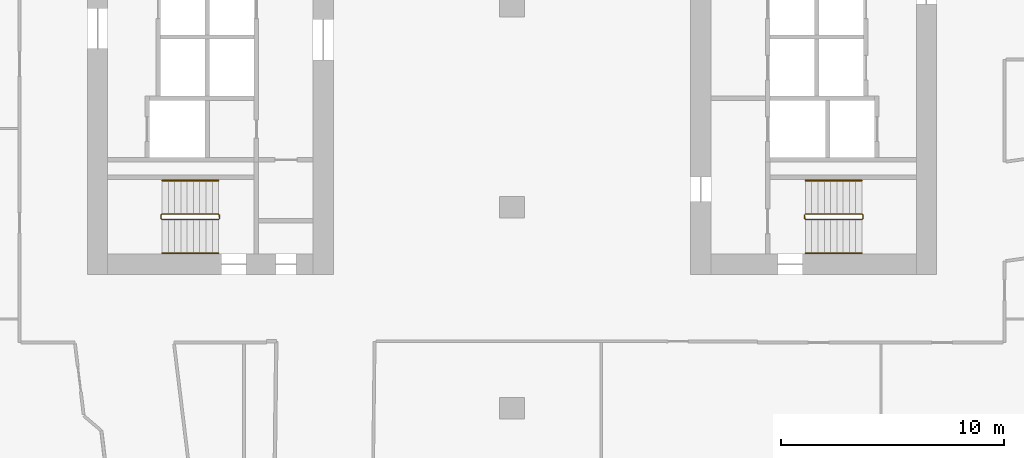
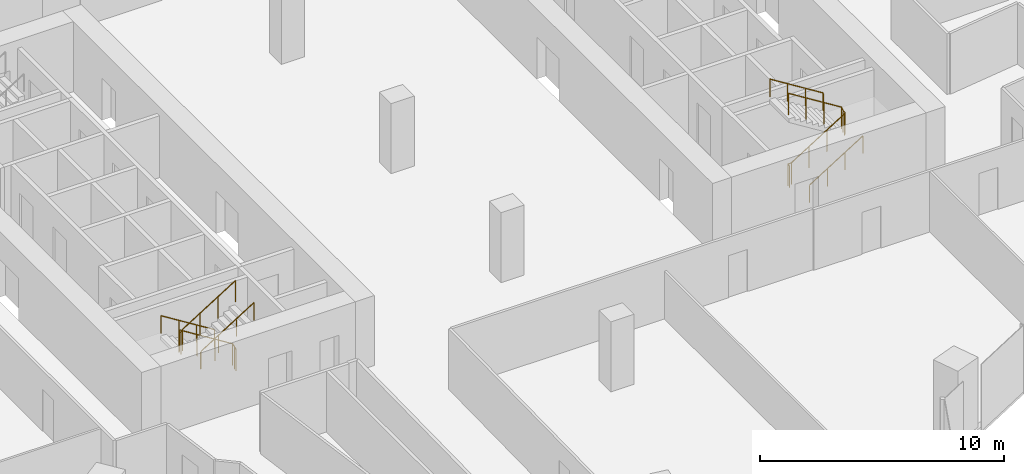
# One storey, part 32 of 34: 6 railings.
"""IFC4 building model written with IfcOpenShell, lengths in metres."""

from ifc_helpers import new_model, si_unit, direction, frame, origin, origin_2d, place, context, subcontext, project, spatial, circle, extrude, material, type_object, element, save


model = new_model("IFC4")

# Units and contexts
model_context = context("Model", 3, precision=1e-05, world=origin(), true_north=direction((0.0, 1.0)))
body_context = subcontext(model_context, "Body", "Model", "MODEL_VIEW")
ifc_project = project(units=[si_unit("LENGTHUNIT", "METRE"), si_unit("AREAUNIT", "SQUARE_METRE"), si_unit("VOLUMEUNIT", "CUBIC_METRE"), si_unit("PLANEANGLEUNIT", "RADIAN"), si_unit("MASSUNIT", "GRAM", prefix="KILO")], contexts=[model_context])

# Site, building, storey
site_placement = place(None, origin())
site = spatial("IfcSite", under=ifc_project, at=site_placement, CompositionType="ELEMENT")
building_placement = place(site_placement, origin())
building = spatial("IfcBuilding", under=site, at=building_placement, Name="Orlundy Tower", CompositionType="ELEMENT")
storey_placement = place(building_placement, frame((0.0, 0.0, 134.199951171875)))
storey = spatial("IfcBuildingStorey", under=building, at=storey_placement, Name="L34", CompositionType="ELEMENT", Elevation=134.199951171875)

# Railings
ifc_material_1 = material(Name="Steel balustrade", Category="steel")
railing_type_1 = type_object("IfcRailingType", Name="Stair Guard 1100", PredefinedType="GUARDRAIL", material=ifc_material_1)
railing_1_placement = place(storey_placement, frame((-13.090087890625, -9.35009765625, 0.0)))
element("IfcRailing", 1, at=railing_1_placement, inside=storey, type_object=railing_type_1, Name="L34 ST-W2 stair guard 1", PredefinedType="GUARDRAIL", context=body_context, shape_type="SweptSolid", body=[
    extrude(circle(Radius=0.02392578125, at=origin_2d()), frame((0.0, 0.0, 1.076171875), z_axis=(0.0, -1.0, 0.0), x_axis=(1.0, 0.0, 0.0)), (0.0, 0.0, 1.0), 0.14990234375),
    extrude(circle(Radius=0.02392578125, at=origin_2d()), frame((0.0, -0.14990234375, 1.076171875), z_axis=(-0.18420542264, 0.739530593833, 0.647427882513), x_axis=(-0.970351222016, -0.241699205484, 0.0)), (0.0, 0.0, 1.0), 0.270263671875),
    extrude(circle(Radius=0.02392578125, at=origin_2d()), frame((-0.0498046875, 0.050048828125, 1.2509765625), z_axis=(-0.848007534815, 0.0, 0.529984170421), x_axis=(0.0, -1.0, 0.0)), (0.0, 0.0, 1.0), 2.9716796875),
    extrude(circle(Radius=0.02392578125, at=origin_2d()), frame((-2.56982421875, 0.050048828125, 2.826171875), z_axis=(-0.707106781187, -0.707106781187, 0.0), x_axis=(0.707106781187, -0.707106781187, 0.0)), (0.0, 0.0, 1.0), 0.07080078125),
    extrude(circle(Radius=0.02392578125, at=origin_2d()), frame((-2.619873046875, 0.0, 2.826171875), z_axis=(0.0, -1.0, 0.0), x_axis=(1.0, 0.0, 0.0)), (0.0, 0.0, 1.0), 0.14990234375),
    extrude(circle(Radius=0.02392578125, at=origin_2d()), frame((-2.619873046875, -0.14990234375, 2.826171875), z_axis=(0.265065253269, -0.265065253269, 0.927081885822), x_axis=(0.707106781187, 0.707106781187, 0.0)), (0.0, 0.0, 1.0), 0.188720703125),
    extrude(circle(Radius=0.02392578125, at=origin_2d()), frame((-2.56982421875, -0.199951171875, 3.0009765625), z_axis=(0.848007534815, 0.0, 0.529984170421), x_axis=(0.0, 1.0, 0.0)), (0.0, 0.0, 1.0), 2.9716796875),
    extrude(circle(Radius=0.02099609375, at=origin_2d()), origin(), (0.0, 0.0, 1.0), 1.052001953125),
    extrude(circle(Radius=0.02099609375, at=origin_2d()), frame((0.0, -0.14990234375, 0.0)), (0.0, 0.0, 1.0), 1.052001953125),
    extrude(circle(Radius=0.02099609375, at=origin_2d()), frame((-0.0498046875, 0.050048828125, 0.175048828125)), (0.0, 0.0, 1.0), 1.052001953125),
    extrude(circle(Radius=0.02099609375, at=origin_2d()), frame((-0.889892578125, 0.050048828125, 0.699951171875)), (0.0, 0.0, 1.0), 1.052001953125),
    extrude(circle(Radius=0.02099609375, at=origin_2d()), frame((-1.729736328125, 0.050048828125, 1.22509765625)), (0.0, 0.0, 1.0), 1.052001953125),
    extrude(circle(Radius=0.02099609375, at=origin_2d()), frame((-2.56982421875, 0.050048828125, 1.75)), (0.0, 0.0, 1.0), 1.052001953125),
    extrude(circle(Radius=0.02099609375, at=origin_2d()), frame((-2.619873046875, 0.0, 1.75)), (0.0, 0.0, 1.0), 1.052001953125),
    extrude(circle(Radius=0.02099609375, at=origin_2d()), frame((-2.619873046875, -0.14990234375, 1.75)), (0.0, 0.0, 1.0), 1.052001953125),
    extrude(circle(Radius=0.02099609375, at=origin_2d()), frame((-2.56982421875, -0.199951171875, 1.925048828125)), (0.0, 0.0, 1.0), 1.052001953125),
    extrude(circle(Radius=0.02099609375, at=origin_2d()), frame((-1.729736328125, -0.199951171875, 2.449951171875)), (0.0, 0.0, 1.0), 1.052001953125),
    extrude(circle(Radius=0.02099609375, at=origin_2d()), frame((-0.889892578125, -0.199951171875, 2.97509765625)), (0.0, 0.0, 1.0), 1.052001953125),
    extrude(circle(Radius=0.02099609375, at=origin_2d()), frame((-0.0498046875, -0.199951171875, 3.5)), (0.0, 0.0, 1.0), 1.052001953125),
])
railing_2_placement = place(storey_placement, frame((13.090087890625, -9.5, 0.0)))
element("IfcRailing", 2, at=railing_2_placement, inside=storey, type_object=railing_type_1, Name="L34 ST-E1 stair guard 1", PredefinedType="GUARDRAIL", context=body_context, shape_type="SweptSolid", body=[
    extrude(circle(Radius=0.02392578125, at=origin_2d()), frame((0.0, 0.0, 1.076171875), z_axis=(0.0, 1.0, 0.0), x_axis=(-1.0, 0.0, 0.0)), (0.0, 0.0, 1.0), 0.14990234375),
    extrude(circle(Radius=0.02392578125, at=origin_2d()), frame((0.0, 0.14990234375, 1.076171875), z_axis=(0.18420542264, -0.739530593833, 0.647427882513), x_axis=(0.970351222016, 0.241699205484, 0.0)), (0.0, 0.0, 1.0), 0.270263671875),
    extrude(circle(Radius=0.02392578125, at=origin_2d()), frame((0.0498046875, -0.050048828125, 1.2509765625), z_axis=(0.848007534815, 0.0, 0.529984170421), x_axis=(0.0, 1.0, 0.0)), (0.0, 0.0, 1.0), 2.9716796875),
    extrude(circle(Radius=0.02392578125, at=origin_2d()), frame((2.56982421875, -0.050048828125, 2.826171875), z_axis=(0.707106781187, 0.707106781187, 0.0), x_axis=(-0.707106781187, 0.707106781187, 0.0)), (0.0, 0.0, 1.0), 0.07080078125),
    extrude(circle(Radius=0.02392578125, at=origin_2d()), frame((2.619873046875, 0.0, 2.826171875), z_axis=(0.0, 1.0, 0.0), x_axis=(-1.0, 0.0, 0.0)), (0.0, 0.0, 1.0), 0.14990234375),
    extrude(circle(Radius=0.02392578125, at=origin_2d()), frame((2.619873046875, 0.14990234375, 2.826171875), z_axis=(-0.265065253269, 0.265065253269, 0.927081885822), x_axis=(-0.707106781187, -0.707106781187, 0.0)), (0.0, 0.0, 1.0), 0.188720703125),
    extrude(circle(Radius=0.02392578125, at=origin_2d()), frame((2.56982421875, 0.199951171875, 3.0009765625), z_axis=(-0.848007534815, 0.0, 0.529984170421), x_axis=(0.0, -1.0, 0.0)), (0.0, 0.0, 1.0), 2.9716796875),
    extrude(circle(Radius=0.02099609375, at=origin_2d()), origin(), (0.0, 0.0, 1.0), 1.052001953125),
    extrude(circle(Radius=0.02099609375, at=origin_2d()), frame((0.0, 0.14990234375, 0.0)), (0.0, 0.0, 1.0), 1.052001953125),
    extrude(circle(Radius=0.02099609375, at=origin_2d()), frame((0.0498046875, -0.050048828125, 0.175048828125)), (0.0, 0.0, 1.0), 1.052001953125),
    extrude(circle(Radius=0.02099609375, at=origin_2d()), frame((0.889892578125, -0.050048828125, 0.699951171875)), (0.0, 0.0, 1.0), 1.052001953125),
    extrude(circle(Radius=0.02099609375, at=origin_2d()), frame((1.729736328125, -0.050048828125, 1.22509765625)), (0.0, 0.0, 1.0), 1.052001953125),
    extrude(circle(Radius=0.02099609375, at=origin_2d()), frame((2.56982421875, -0.050048828125, 1.75)), (0.0, 0.0, 1.0), 1.052001953125),
    extrude(circle(Radius=0.02099609375, at=origin_2d()), frame((2.619873046875, 0.0, 1.75)), (0.0, 0.0, 1.0), 1.052001953125),
    extrude(circle(Radius=0.02099609375, at=origin_2d()), frame((2.619873046875, 0.14990234375, 1.75)), (0.0, 0.0, 1.0), 1.052001953125),
    extrude(circle(Radius=0.02099609375, at=origin_2d()), frame((2.56982421875, 0.199951171875, 1.925048828125)), (0.0, 0.0, 1.0), 1.052001953125),
    extrude(circle(Radius=0.02099609375, at=origin_2d()), frame((1.729736328125, 0.199951171875, 2.449951171875)), (0.0, 0.0, 1.0), 1.052001953125),
    extrude(circle(Radius=0.02099609375, at=origin_2d()), frame((0.889892578125, 0.199951171875, 2.97509765625)), (0.0, 0.0, 1.0), 1.052001953125),
    extrude(circle(Radius=0.02099609375, at=origin_2d()), frame((0.0498046875, 0.199951171875, 3.5)), (0.0, 0.0, 1.0), 1.052001953125),
])
ifc_material_2 = material(Name="Steel handrail", Category="steel")
railing_type_2 = type_object("IfcRailingType", Name="Stair Handrail 900", PredefinedType="HANDRAIL", material=ifc_material_2)
railing_3_placement = place(storey_placement, frame((-13.139892578125, -7.800048828125, 0.175048828125)))
element("IfcRailing", 3, at=railing_3_placement, inside=storey, type_object=railing_type_2, Name="L34 ST-W2 stair handrail 1", PredefinedType="HANDRAIL", context=body_context, shape_type="SweptSolid", body=[
    extrude(circle(Radius=0.02392578125, at=origin_2d()), frame((0.0, 0.0, 0.8759765625), z_axis=(-0.848007534815, 0.0, 0.529984170421), x_axis=(0.0, -1.0, 0.0)), (0.0, 0.0, 1.0), 2.9716796875),
    extrude(circle(Radius=0.02099609375, at=origin_2d()), origin(), (0.0, 0.0, 1.0), 0.851806640625),
    extrude(circle(Radius=0.02099609375, at=origin_2d()), frame((-0.840087890625, 0.0, 0.52490234375)), (0.0, 0.0, 1.0), 0.851806640625),
    extrude(circle(Radius=0.02099609375, at=origin_2d()), frame((-1.679931640625, 0.0, 1.050048828125)), (0.0, 0.0, 1.0), 0.851806640625),
    extrude(circle(Radius=0.02099609375, at=origin_2d()), frame((-2.52001953125, 0.0, 1.574951171875)), (0.0, 0.0, 1.0), 0.851806640625),
])
for number, where, name in (
    (4, (-15.659912109375, -11.050048828125, 1.925048828125), "L34 ST-W2 stair handrail 2"),
    (5, (13.139892578125, -11.050048828125, 0.175048828125), "L34 ST-E1 stair handrail 1"),
):
    element("IfcRailing", number, at=place(storey_placement, frame(where)), inside=storey, type_object=railing_type_2, Name=name, PredefinedType="HANDRAIL", context=body_context, shape_type="SweptSolid", body=[
        extrude(circle(Radius=0.02392578125, at=origin_2d()), frame((0.0, 0.0, 0.8759765625), z_axis=(0.848007534815, 0.0, 0.529984170421), x_axis=(0.0, 1.0, 0.0)), (0.0, 0.0, 1.0), 2.9716796875),
        extrude(circle(Radius=0.02099609375, at=origin_2d()), origin(), (0.0, 0.0, 1.0), 0.851806640625),
        extrude(circle(Radius=0.02099609375, at=origin_2d()), frame((0.840087890625, 0.0, 0.52490234375)), (0.0, 0.0, 1.0), 0.851806640625),
        extrude(circle(Radius=0.02099609375, at=origin_2d()), frame((1.679931640625, 0.0, 1.050048828125)), (0.0, 0.0, 1.0), 0.851806640625),
        extrude(circle(Radius=0.02099609375, at=origin_2d()), frame((2.52001953125, 0.0, 1.574951171875)), (0.0, 0.0, 1.0), 0.851806640625),
    ])
railing_4_placement = place(storey_placement, frame((15.659912109375, -7.800048828125, 1.925048828125)))
element("IfcRailing", 6, at=railing_4_placement, inside=storey, type_object=railing_type_2, Name="L34 ST-E1 stair handrail 2", PredefinedType="HANDRAIL", context=body_context, shape_type="SweptSolid", body=[
    extrude(circle(Radius=0.02392578125, at=origin_2d()), frame((0.0, 0.0, 0.8759765625), z_axis=(-0.848007534815, 0.0, 0.529984170421), x_axis=(0.0, -1.0, 0.0)), (0.0, 0.0, 1.0), 2.9716796875),
    extrude(circle(Radius=0.02099609375, at=origin_2d()), origin(), (0.0, 0.0, 1.0), 0.851806640625),
    extrude(circle(Radius=0.02099609375, at=origin_2d()), frame((-0.840087890625, 0.0, 0.52490234375)), (0.0, 0.0, 1.0), 0.851806640625),
    extrude(circle(Radius=0.02099609375, at=origin_2d()), frame((-1.679931640625, 0.0, 1.050048828125)), (0.0, 0.0, 1.0), 0.851806640625),
    extrude(circle(Radius=0.02099609375, at=origin_2d()), frame((-2.52001953125, 0.0, 1.574951171875)), (0.0, 0.0, 1.0), 0.851806640625),
])

save(model, "model.ifc")
